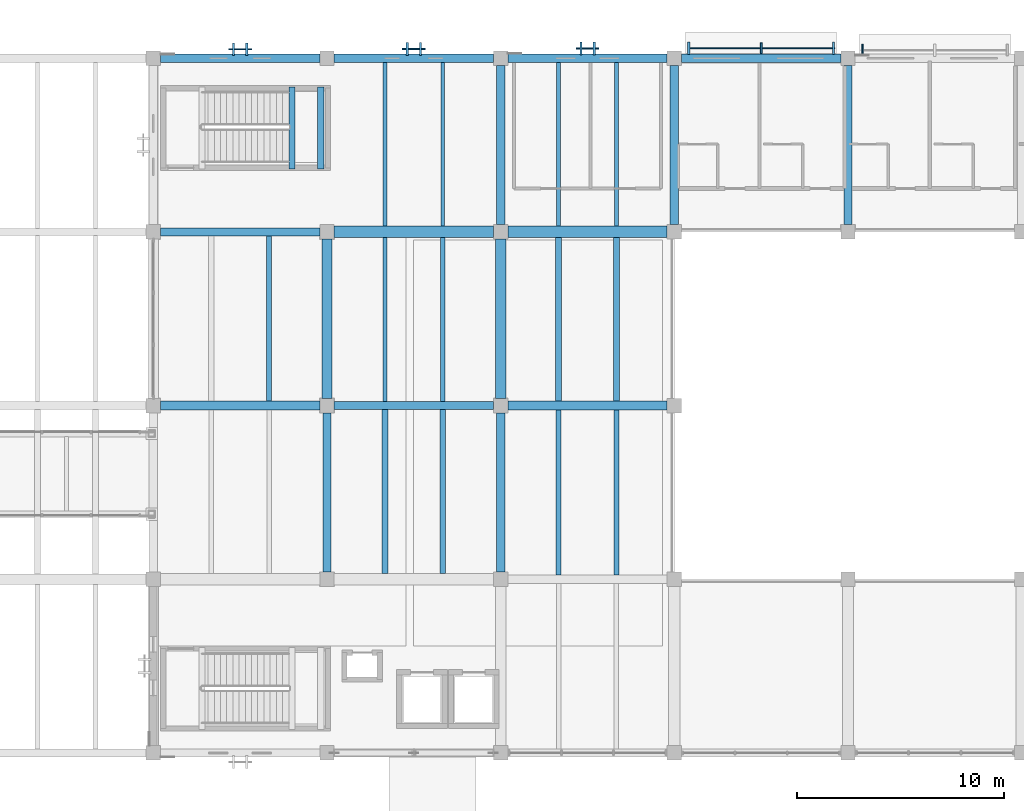
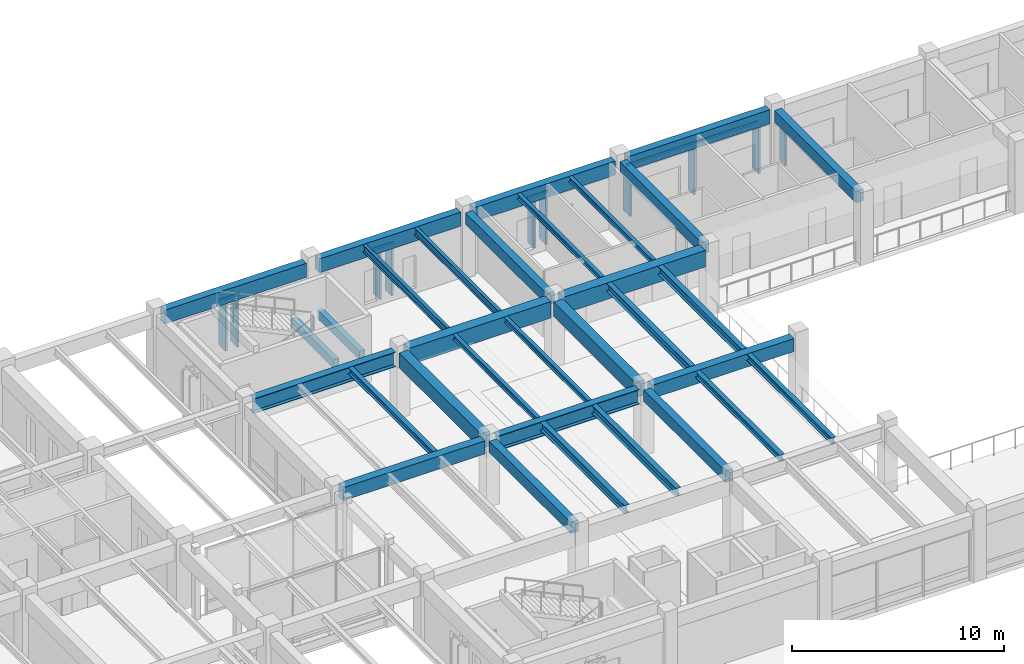
# One storey, part 51 of 132: 32 beams, 14 members, 5 elements without a shape of their own.
"""IFC4 building model written with IfcOpenShell, lengths in metres."""

from ifc_helpers import new_model, si_unit, direction, frame, origin, origin_2d, place, context, subcontext, project, spatial, rectangle, i_section, extrude, material, material_profile, profile_set, type_object, element, aggregate, save


model = new_model("IFC4")

# Units and contexts
model_context = context("Model", 3, precision=1e-05, world=origin(), true_north=direction((0.0, 1.0)))
body_context = subcontext(model_context, "Body", "Model", "MODEL_VIEW")
ifc_project = project(units=[si_unit("LENGTHUNIT", "METRE"), si_unit("AREAUNIT", "SQUARE_METRE"), si_unit("VOLUMEUNIT", "CUBIC_METRE"), si_unit("PLANEANGLEUNIT", "RADIAN"), si_unit("MASSUNIT", "GRAM", prefix="KILO")], contexts=[model_context])

# Site, building, storey
site_placement = place(None, origin())
site = spatial("IfcSite", under=ifc_project, at=site_placement, CompositionType="ELEMENT")
building_placement = place(site_placement, origin())
building = spatial("IfcBuilding", under=site, at=building_placement, Name="Cumbredor Promenade Congress Hotel", CompositionType="ELEMENT")
storey_placement = place(building_placement, frame((0.0, 0.0, 7.56005859375)))
storey = spatial("IfcBuildingStorey", under=building, at=storey_placement, Name="L02", CompositionType="ELEMENT", Elevation=7.56005859375)

# Beams
ifc_material_1 = material(Name="Concrete C40/50", Category="concrete")
ifc_material_profile_1 = material_profile(ifc_material_1, rectangle(XDim=0.39990234375, YDim=0.64990234375, at=origin_2d()), Name="RC BEAM 400x650")
ifc_profile_set_1 = profile_set([ifc_material_profile_1], Name="Concrete C40/50")
beam_type_1 = type_object("IfcBeamType", Name="BM-RC-400x650", PredefinedType="BEAM", material=ifc_profile_set_1)
for number, where, z_axis, x_axis, name in (
    (1, (100.800048828125, 92.75, 3.474853515625), (0.0, 1.0, 0.0), (-1.0, 0.0, 0.0), "L03 Y-Grid Beam 160"),
    (2, (109.199951171875, 92.75, 3.474853515625), (0.0, 1.0, 0.0), (-1.0, 0.0, 0.0), "L03 Y-Grid Beam 168"),
    (3, (109.199951171875, 109.550048828125, 3.474853515625), (0.0, 1.0, 0.0), (-1.0, 0.0, 0.0), "L03 Y-Grid Beam 172"),
    (4, (117.60009765625, 109.550048828125, 3.474853515625), (0.0, 1.0, 0.0), (-1.0, 0.0, 0.0), "L03 Y-Grid Beam 176"),
    (5, (126.0, 109.550048828125, 3.474853515625), (0.0, 1.0, 0.0), (-1.0, 0.0, 0.0), "L03 Y-Grid Beam 180"),
):
    element("IfcBeam", number, at=place(storey_placement, frame(where, z_axis=z_axis, x_axis=x_axis)), inside=storey, type_object=beam_type_1, Name=name, PredefinedType="BEAM", context=body_context, shape_type="SweptSolid", body=[
        extrude(rectangle(XDim=0.39990234375, YDim=0.64990234375, at=origin_2d()), origin(), (0.0, 0.0, 1.0), 7.699951171875),
    ])
ifc_material_profile_2 = material_profile(ifc_material_1, rectangle(XDim=0.449951171875, YDim=0.75, at=origin_2d()), Name="RC BEAM 450x750")
ifc_profile_set_2 = profile_set([ifc_material_profile_2], Name="Concrete C40/50")
beam_type_2 = type_object("IfcBeamType", Name="BM-RC-450x750", PredefinedType="BEAM", material=ifc_profile_set_2)
for number, where, z_axis, x_axis, name in (
    (6, (92.75, 100.800048828125, 3.425048828125), (1.0, 0.0, 0.0), (0.0, 1.0, 0.0), "L03 X-Grid Beam 153"),
    (7, (109.550048828125, 100.800048828125, 3.425048828125), (1.0, 0.0, 0.0), (0.0, 1.0, 0.0), "L03 X-Grid Beam 169"),
):
    element("IfcBeam", number, at=place(storey_placement, frame(where, z_axis=z_axis, x_axis=x_axis)), inside=storey, type_object=beam_type_2, Name=name, PredefinedType="BEAM", context=body_context, shape_type="SweptSolid", body=[
        extrude(rectangle(XDim=0.449951171875, YDim=0.75, at=origin_2d()), origin(), (0.0, 0.0, 1.0), 7.699951171875),
    ])
ifc_material_profile_3 = material_profile(ifc_material_1, rectangle(XDim=0.5, YDim=0.85009765625, at=origin_2d()), Name="RC BEAM 500x850")
ifc_profile_set_3 = profile_set([ifc_material_profile_3], Name="Concrete C40/50")
beam_type_3 = type_object("IfcBeamType", Name="BM-RC-500x850", PredefinedType="BEAM", material=ifc_profile_set_3)
for number, where, z_axis, x_axis, name in (
    (8, (100.800048828125, 101.14990234375, 3.375), (0.0, 1.0, 0.0), (-1.0, 0.0, 0.0), "L03 Y-Grid Beam 162"),
    (9, (109.199951171875, 101.14990234375, 3.375), (0.0, 1.0, 0.0), (-1.0, 0.0, 0.0), "L03 Y-Grid Beam 170"),
):
    element("IfcBeam", number, at=place(storey_placement, frame(where, z_axis=z_axis, x_axis=x_axis)), inside=storey, type_object=beam_type_3, Name=name, PredefinedType="BEAM", context=body_context, shape_type="SweptSolid", body=[
        extrude(rectangle(XDim=0.5, YDim=0.85009765625, at=origin_2d()), origin(), (0.0, 0.0, 1.0), 7.7001953125),
    ])
ifc_material_profile_4 = material_profile(ifc_material_1, rectangle(XDim=0.550048828125, YDim=0.949951171875, at=origin_2d()), Name="RC BEAM 550x950")
ifc_profile_set_4 = profile_set([ifc_material_profile_4], Name="Concrete C40/50")
beam_type_4 = type_object("IfcBeamType", Name="BM-RC-550x950", PredefinedType="BEAM", material=ifc_profile_set_4)
beam_1_placement = place(storey_placement, frame((101.14990234375, 109.199951171875, 3.324951171875), z_axis=(1.0, 0.0, 0.0), x_axis=(0.0, 1.0, 0.0)))
element("IfcBeam", 10, at=beam_1_placement, inside=storey, type_object=beam_type_4, Name="L03 X-Grid Beam 163", PredefinedType="BEAM", context=body_context, shape_type="SweptSolid", body=[
    extrude(rectangle(XDim=0.550048828125, YDim=0.949951171875, at=origin_2d()), origin(), (0.0, 0.0, 1.0), 7.7001953125),
])
beam_2_placement = place(storey_placement, frame((109.550048828125, 109.199951171875, 3.324951171875), z_axis=(1.0, 0.0, 0.0), x_axis=(0.0, 1.0, 0.0)))
element("IfcBeam", 11, at=beam_2_placement, inside=storey, type_object=beam_type_4, Name="L03 X-Grid Beam 171", PredefinedType="BEAM", context=body_context, shape_type="SweptSolid", body=[
    extrude(rectangle(XDim=0.550048828125, YDim=0.949951171875, at=origin_2d()), origin(), (0.0, 0.0, 1.0), 7.699951171875),
])
ifc_material_2 = material(Name="Steel ASTM A992 Grade 50", Category="steel")
ifc_material_profile_5 = material_profile(ifc_material_2, i_section(OverallWidth=0.39990234375, OverallDepth=0.85498046875, WebThickness=0.018310546875, FlangeThickness=0.029296875, at=origin_2d()), Name="W33X201")
ifc_profile_set_5 = profile_set([ifc_material_profile_5], Name="Steel ASTM A992 Grade 50")
beam_type_5 = type_object("IfcBeamType", Name="BM-W33X201", PredefinedType="BEAM", material=ifc_profile_set_5)
beam_3_placement = place(storey_placement, frame((92.75, 109.199951171875, 3.37255859375), z_axis=(1.0, 0.0, 0.0), x_axis=(0.0, 1.0, 0.0)))
element("IfcBeam", 12, at=beam_3_placement, inside=storey, type_object=beam_type_5, Name="L03 X-Grid Beam 155", PredefinedType="BEAM", context=body_context, shape_type="SweptSolid", body=[
    extrude(i_section(OverallWidth=0.39990234375, OverallDepth=0.85498046875, WebThickness=0.018310546875, FlangeThickness=0.029296875, at=origin_2d()), origin(), (0.0, 0.0, 1.0), 7.699951171875),
])
beam_4_placement = place(storey_placement, frame((101.14990234375, 100.800048828125, 3.37255859375), z_axis=(1.0, 0.0, 0.0), x_axis=(0.0, 1.0, 0.0)))
element("IfcBeam", 13, at=beam_4_placement, inside=storey, type_object=beam_type_5, Name="L03 X-Grid Beam 161", PredefinedType="BEAM", context=body_context, shape_type="SweptSolid", body=[
    extrude(i_section(OverallWidth=0.39990234375, OverallDepth=0.85498046875, WebThickness=0.018310546875, FlangeThickness=0.029296875, at=origin_2d()), origin(), (0.0, 0.0, 1.0), 7.7001953125),
])

# Curtain wall, member
ifc_material_3 = material(Name="Thermally broken anodized aluminium and low-E glass", Category="aluminium")
curtain_wall_type = type_object("IfcCurtainWallType", Name="Solar Brise-Soleil Screen Assembly CW-07", PredefinedType="NOTDEFINED", material=ifc_material_3)
curtain_wall_1_placement = place(storey_placement, origin())
curtain_wall_1 = element("IfcCurtainWall", 14, at=curtain_wall_1_placement, inside=storey, type_object=curtain_wall_type, Name="L02 Pier Brise-Soleil Screen 0403", PredefinedType="NOTDEFINED")
ifc_material_4 = material(Name="Thermally broken anodized aluminium", Category="aluminium")
ifc_material_profile_6 = material_profile(ifc_material_4, rectangle(XDim=0.06494140625, YDim=0.1298828125, at=origin_2d()), Name="ALU TRANSOM 65x130")
ifc_profile_set_6 = profile_set([ifc_material_profile_6], Name="Thermally broken anodized aluminium")
member_type_1 = type_object("IfcMemberType", Name="Curtain Wall Transom TR-01", PredefinedType="USERDEFINED", material=ifc_profile_set_6)
member_1_placement = place(storey_placement, frame((96.050048828125, 118.034912109375, 2.824951171875), z_axis=(1.0, 0.0, 0.0), x_axis=(0.0, 1.0, 0.0)))
member_1 = element("IfcMember", 15, at=member_1_placement, type_object=member_type_1, Name="L02 Pier Brise-Soleil Header 0405", ObjectType="TRANSOM", PredefinedType="USERDEFINED", context=body_context, shape_type="SweptSolid", body=[
    extrude(rectangle(XDim=0.06494140625, YDim=0.1298828125, at=origin_2d()), origin(), (0.0, 0.0, 1.0), 1.099853515625),
])

curtain_wall_2_placement = place(storey_placement, origin())
curtain_wall_2 = element("IfcCurtainWall", 16, at=curtain_wall_2_placement, inside=storey, type_object=curtain_wall_type, Name="L02 Pier Brise-Soleil Screen 0406", PredefinedType="NOTDEFINED")
member_2_placement = place(storey_placement, frame((104.449951171875, 118.050048828125, 2.824951171875), z_axis=(1.0, 0.0, 0.0), x_axis=(0.0, 1.0, 0.0)))
member_2 = element("IfcMember", 17, at=member_2_placement, type_object=member_type_1, Name="L02 Pier Brise-Soleil Header 0408", ObjectType="TRANSOM", PredefinedType="USERDEFINED", context=body_context, shape_type="SweptSolid", body=[
    extrude(rectangle(XDim=0.06494140625, YDim=0.1298828125, at=origin_2d()), origin(), (0.0, 0.0, 1.0), 1.10009765625),
])

curtain_wall_3_placement = place(storey_placement, origin())
curtain_wall_3 = element("IfcCurtainWall", 18, at=curtain_wall_3_placement, inside=storey, type_object=curtain_wall_type, Name="L02 Pier Brise-Soleil Screen 0409", PredefinedType="NOTDEFINED")
member_3_placement = place(storey_placement, frame((112.85009765625, 118.072509765625, 2.824951171875), z_axis=(1.0, 0.0, 0.0), x_axis=(0.0, 1.0, 0.0)))
member_3 = element("IfcMember", 19, at=member_3_placement, type_object=member_type_1, Name="L02 Pier Brise-Soleil Header 0411", ObjectType="TRANSOM", PredefinedType="USERDEFINED", context=body_context, shape_type="SweptSolid", body=[
    extrude(rectangle(XDim=0.06494140625, YDim=0.1298828125, at=origin_2d()), origin(), (0.0, 0.0, 1.0), 1.099853515625),
])

curtain_wall_4_placement = place(storey_placement, origin())
curtain_wall_4 = element("IfcCurtainWall", 20, at=curtain_wall_4_placement, inside=storey, type_object=curtain_wall_type, Name="L02 Hospitality Brise-Soleil Screen 030", PredefinedType="NOTDEFINED")
member_4_placement = place(storey_placement, frame((118.2509765625, 118.0849609375, 2.804931640625), z_axis=(1.0, 0.0, 0.0), x_axis=(0.0, 1.0, 0.0)))
member_4 = element("IfcMember", 21, at=member_4_placement, type_object=member_type_1, Name="L02 Brise-Soleil Screen Transom 030", ObjectType="TRANSOM", PredefinedType="USERDEFINED", context=body_context, shape_type="SweptSolid", body=[
    extrude(rectangle(XDim=0.06494140625, YDim=0.1298828125, at=origin_2d()), origin(), (0.0, 0.0, 1.0), 7.09814453125),
])

# Beams
ifc_material_profile_7 = material_profile(ifc_material_2, i_section(OverallWidth=0.202880859375, OverallDepth=0.302978515625, WebThickness=0.007568359375, FlangeThickness=0.01318359375, at=origin_2d()), Name="W12X40")
ifc_profile_set_7 = profile_set([ifc_material_profile_7], Name="Steel ASTM A992 Grade 50")
beam_type_6 = type_object("IfcBeamType", Name="JST-W12X40", PredefinedType="JOIST", material=ifc_profile_set_7)
for number, where, z_axis, x_axis, name in (
    (22, (103.60009765625, 101.0, 3.6484375), (0.0, 1.0, 0.0), (-1.0, 0.0, 0.0), "L03 Secondary Floor Joist 0096"),
    (23, (106.39990234375, 101.0, 3.6484375), (0.0, 1.0, 0.0), (-1.0, 0.0, 0.0), "L03 Secondary Floor Joist 0097"),
):
    element("IfcBeam", number, at=place(storey_placement, frame(where, z_axis=z_axis, x_axis=x_axis)), inside=storey, type_object=beam_type_6, Name=name, PredefinedType="JOIST", context=body_context, shape_type="SweptSolid", body=[
        extrude(i_section(OverallWidth=0.202880859375, OverallDepth=0.302978515625, WebThickness=0.007568359375, FlangeThickness=0.01318359375, at=origin_2d()), origin(), (0.0, 0.0, 1.0), 7.925048828125),
    ])
for number, where, z_axis, x_axis, name in (
    (24, (112.0, 109.47509765625, 3.6484375), (0.0, 1.0, 0.0), (-1.0, 0.0, 0.0), "L03 Secondary Floor Joist 0106"),
    (25, (114.800048828125, 109.47509765625, 3.6484375), (0.0, 1.0, 0.0), (-1.0, 0.0, 0.0), "L03 Secondary Floor Joist 0107"),
):
    element("IfcBeam", number, at=place(storey_placement, frame(where, z_axis=z_axis, x_axis=x_axis)), inside=storey, type_object=beam_type_6, Name=name, PredefinedType="JOIST", context=body_context, shape_type="SweptSolid", body=[
        extrude(i_section(OverallWidth=0.202880859375, OverallDepth=0.302978515625, WebThickness=0.007568359375, FlangeThickness=0.01318359375, at=origin_2d()), origin(), (0.0, 0.0, 1.0), 7.9248046875),
    ])
ifc_material_profile_8 = material_profile(ifc_material_2, i_section(OverallWidth=0.2548828125, OverallDepth=0.35693359375, WebThickness=0.010498046875, FlangeThickness=0.018310546875, at=origin_2d()), Name="W14X68")
ifc_profile_set_8 = profile_set([ifc_material_profile_8], Name="Steel ASTM A992 Grade 50")
beam_type_7 = type_object("IfcBeamType", Name="JST-W14X68", PredefinedType="JOIST", material=ifc_profile_set_8)
beam_5_placement = place(storey_placement, frame((98.0, 101.02490234375, 3.621337890625), z_axis=(0.0, 1.0, 0.0), x_axis=(-1.0, 0.0, 0.0)))
element("IfcBeam", 26, at=beam_5_placement, inside=storey, type_object=beam_type_7, Name="L03 Secondary Floor Joist 0093", PredefinedType="JOIST", context=body_context, shape_type="SweptSolid", body=[
    extrude(i_section(OverallWidth=0.2548828125, OverallDepth=0.35693359375, WebThickness=0.010498046875, FlangeThickness=0.018310546875, at=origin_2d()), origin(), (0.0, 0.0, 1.0), 7.97509765625),
])
for number, where, z_axis, x_axis, name in (
    (27, (112.0, 92.60009765625, 3.621337890625), (0.0, 1.0, 0.0), (-1.0, 0.0, 0.0), "L03 Secondary Floor Joist 0102"),
    (28, (114.800048828125, 92.60009765625, 3.621337890625), (0.0, 1.0, 0.0), (-1.0, 0.0, 0.0), "L03 Secondary Floor Joist 0103"),
):
    element("IfcBeam", number, at=place(storey_placement, frame(where, z_axis=z_axis, x_axis=x_axis)), inside=storey, type_object=beam_type_7, Name=name, PredefinedType="JOIST", context=body_context, shape_type="SweptSolid", body=[
        extrude(i_section(OverallWidth=0.2548828125, OverallDepth=0.35693359375, WebThickness=0.010498046875, FlangeThickness=0.018310546875, at=origin_2d()), origin(), (0.0, 0.0, 1.0), 7.974853515625),
    ])
ifc_material_profile_9 = material_profile(ifc_material_2, i_section(OverallWidth=0.180908203125, OverallDepth=0.4169921875, WebThickness=0.010986328125, FlangeThickness=0.018310546875, at=origin_2d()), Name="W16X57")
ifc_profile_set_9 = profile_set([ifc_material_profile_9], Name="Steel ASTM A992 Grade 50")
beam_type_8 = type_object("IfcBeamType", Name="JST-W16X57", PredefinedType="JOIST", material=ifc_profile_set_9)
for number, where, z_axis, x_axis, name in (
    (29, (103.60009765625, 109.47509765625, 3.591552734375), (0.0, 1.0, 0.0), (-1.0, 0.0, 0.0), "L03 Secondary Floor Joist 0098"),
    (30, (106.39990234375, 109.47509765625, 3.591552734375), (0.0, 1.0, 0.0), (-1.0, 0.0, 0.0), "L03 Secondary Floor Joist 0099"),
):
    element("IfcBeam", number, at=place(storey_placement, frame(where, z_axis=z_axis, x_axis=x_axis)), inside=storey, type_object=beam_type_8, Name=name, PredefinedType="JOIST", context=body_context, shape_type="SweptSolid", body=[
        extrude(i_section(OverallWidth=0.180908203125, OverallDepth=0.4169921875, WebThickness=0.010986328125, FlangeThickness=0.018310546875, at=origin_2d()), origin(), (0.0, 0.0, 1.0), 7.9248046875),
    ])
ifc_material_profile_10 = material_profile(ifc_material_2, i_section(OverallWidth=0.280029296875, OverallDepth=0.462890625, WebThickness=0.0107421875, FlangeThickness=0.017333984375, at=origin_2d()), Name="W18X76")
ifc_profile_set_10 = profile_set([ifc_material_profile_10], Name="Steel ASTM A992 Grade 50")
beam_type_9 = type_object("IfcBeamType", Name="JST-W18X76", PredefinedType="JOIST", material=ifc_profile_set_10)
for number, where, z_axis, x_axis, name in (
    (31, (103.60009765625, 92.675048828125, 3.568359375), (0.0, 1.0, 0.0), (-1.0, 0.0, 0.0), "L03 Secondary Floor Joist 0094"),
    (32, (106.39990234375, 92.675048828125, 3.568359375), (0.0, 1.0, 0.0), (-1.0, 0.0, 0.0), "L03 Secondary Floor Joist 0095"),
):
    element("IfcBeam", number, at=place(storey_placement, frame(where, z_axis=z_axis, x_axis=x_axis)), inside=storey, type_object=beam_type_9, Name=name, PredefinedType="JOIST", context=body_context, shape_type="SweptSolid", body=[
        extrude(i_section(OverallWidth=0.280029296875, OverallDepth=0.462890625, WebThickness=0.0107421875, FlangeThickness=0.017333984375, at=origin_2d()), origin(), (0.0, 0.0, 1.0), 7.925048828125),
    ])
for number, where, z_axis, x_axis, name in (
    (33, (112.0, 101.02490234375, 3.568359375), (0.0, 1.0, 0.0), (-1.0, 0.0, 0.0), "L03 Secondary Floor Joist 0104"),
    (34, (114.800048828125, 101.02490234375, 3.568359375), (0.0, 1.0, 0.0), (-1.0, 0.0, 0.0), "L03 Secondary Floor Joist 0105"),
):
    element("IfcBeam", number, at=place(storey_placement, frame(where, z_axis=z_axis, x_axis=x_axis)), inside=storey, type_object=beam_type_9, Name=name, PredefinedType="JOIST", context=body_context, shape_type="SweptSolid", body=[
        extrude(i_section(OverallWidth=0.280029296875, OverallDepth=0.462890625, WebThickness=0.0107421875, FlangeThickness=0.017333984375, at=origin_2d()), origin(), (0.0, 0.0, 1.0), 7.900146484375),
    ])
ifc_material_profile_11 = material_profile(ifc_material_1, rectangle(XDim=0.300048828125, YDim=0.5, at=origin_2d()), Name="RC LINTEL 300x500")
ifc_profile_set_11 = profile_set([ifc_material_profile_11], Name="Concrete C40/50")
beam_type_10 = type_object("IfcBeamType", Name="LN-RC-300x500", PredefinedType="LINTEL", material=ifc_profile_set_11)
for number, where, z_axis, x_axis, name in (
    (35, (100.5, 112.25, 1.64990234375), (0.0, 1.0, 0.0), (-1.0, 0.0, 0.0), "L02 Stair ST-15 Landing Ledger Beam E"),
    (36, (99.10009765625, 112.25, 1.64990234375), (0.0, 1.0, 0.0), (-1.0, 0.0, 0.0), "L02 Stair ST-15 Landing Ledger Beam W"),
):
    element("IfcBeam", number, at=place(storey_placement, frame(where, z_axis=z_axis, x_axis=x_axis)), inside=storey, type_object=beam_type_10, Name=name, PredefinedType="LINTEL", context=body_context, shape_type="SweptSolid", body=[
        extrude(rectangle(XDim=0.300048828125, YDim=0.5, at=origin_2d()), origin(), (0.0, 0.0, 1.0), 3.949951171875),
    ])
ifc_material_profile_12 = material_profile(ifc_material_1, rectangle(XDim=0.39990234375, YDim=0.800048828125, at=origin_2d()), Name="RC SPANDREL 400x800")
ifc_profile_set_12 = profile_set([ifc_material_profile_12], Name="Concrete C40/50")
beam_type_11 = type_object("IfcBeamType", Name="SP-RC-400x800", PredefinedType="SPANDREL", material=ifc_profile_set_12)
beam_6_placement = place(storey_placement, frame((92.75, 117.60009765625, 3.39990234375), z_axis=(1.0, 0.0, 0.0), x_axis=(0.0, 1.0, 0.0)))
element("IfcBeam", 37, at=beam_6_placement, inside=storey, type_object=beam_type_11, Name="L03 X-Grid Beam 157", PredefinedType="SPANDREL", context=body_context, shape_type="SweptSolid", body=[
    extrude(rectangle(XDim=0.39990234375, YDim=0.800048828125, at=origin_2d()), origin(), (0.0, 0.0, 1.0), 7.699951171875),
])
beam_7_placement = place(storey_placement, frame((101.14990234375, 117.60009765625, 3.39990234375), z_axis=(1.0, 0.0, 0.0), x_axis=(0.0, 1.0, 0.0)))
element("IfcBeam", 38, at=beam_7_placement, inside=storey, type_object=beam_type_11, Name="L03 X-Grid Beam 164", PredefinedType="SPANDREL", context=body_context, shape_type="SweptSolid", body=[
    extrude(rectangle(XDim=0.39990234375, YDim=0.800048828125, at=origin_2d()), origin(), (0.0, 0.0, 1.0), 7.7001953125),
])
for number, where, z_axis, x_axis, name in (
    (39, (109.550048828125, 117.60009765625, 3.39990234375), (1.0, 0.0, 0.0), (0.0, 1.0, 0.0), "L03 X-Grid Beam 173"),
    (40, (117.949951171875, 117.60009765625, 3.39990234375), (1.0, 0.0, 0.0), (0.0, 1.0, 0.0), "L03 X-Grid Beam 177"),
):
    element("IfcBeam", number, at=place(storey_placement, frame(where, z_axis=z_axis, x_axis=x_axis)), inside=storey, type_object=beam_type_11, Name=name, PredefinedType="SPANDREL", context=body_context, shape_type="SweptSolid", body=[
        extrude(rectangle(XDim=0.39990234375, YDim=0.800048828125, at=origin_2d()), origin(), (0.0, 0.0, 1.0), 7.699951171875),
    ])

# Member
ifc_material_profile_13 = material_profile(ifc_material_4, rectangle(XDim=0.110107421875, YDim=0.6201171875, at=origin_2d()), Name="ARCH FIN 110x620")
ifc_profile_set_13 = profile_set([ifc_material_profile_13], Name="Thermally broken anodized aluminium")
member_type_2 = type_object("IfcMemberType", Name="Vertical Bronze Brise-Soleil Fin BSF-02 110x620", PredefinedType="USERDEFINED", material=ifc_profile_set_13)
member_5_placement = place(storey_placement, frame((96.280029296875, 118.034912109375, 0.02001953125), z_axis=(0.0, 0.0, 1.0), x_axis=(1.0, 0.0, 0.0)))
member_5 = element("IfcMember", 41, at=member_5_placement, type_object=member_type_2, Name="L02 Pier Brise-Soleil Fin 0404", ObjectType="SOLAR FIN", PredefinedType="USERDEFINED", context=body_context, shape_type="SweptSolid", body=[
    extrude(rectangle(XDim=0.110107421875, YDim=0.6201171875, at=origin_2d()), origin(), (0.0, 0.0, 1.0), 2.844970703125),
])

member_6_placement = place(storey_placement, frame((96.919921875, 118.034912109375, 0.02001953125), z_axis=(0.0, 0.0, 1.0), x_axis=(1.0, 0.0, 0.0)))
member_6 = element("IfcMember", 42, at=member_6_placement, type_object=member_type_2, Name="L02 Pier Brise-Soleil Fin 0405", ObjectType="SOLAR FIN", PredefinedType="USERDEFINED", context=body_context, shape_type="SweptSolid", body=[
    extrude(rectangle(XDim=0.110107421875, YDim=0.6201171875, at=origin_2d()), origin(), (0.0, 0.0, 1.0), 2.844970703125),
])

aggregate(curtain_wall_1, [member_5, member_6, member_1])

member_7_placement = place(storey_placement, frame((104.679931640625, 118.050048828125, 0.02001953125), z_axis=(0.0, 0.0, 1.0), x_axis=(1.0, 0.0, 0.0)))
member_7 = element("IfcMember", 43, at=member_7_placement, type_object=member_type_2, Name="L02 Pier Brise-Soleil Fin 0407", ObjectType="SOLAR FIN", PredefinedType="USERDEFINED", context=body_context, shape_type="SweptSolid", body=[
    extrude(rectangle(XDim=0.110107421875, YDim=0.6201171875, at=origin_2d()), origin(), (0.0, 0.0, 1.0), 2.844970703125),
])

member_8_placement = place(storey_placement, frame((105.320068359375, 118.050048828125, 0.02001953125), z_axis=(0.0, 0.0, 1.0), x_axis=(1.0, 0.0, 0.0)))
member_8 = element("IfcMember", 44, at=member_8_placement, type_object=member_type_2, Name="L02 Pier Brise-Soleil Fin 0408", ObjectType="SOLAR FIN", PredefinedType="USERDEFINED", context=body_context, shape_type="SweptSolid", body=[
    extrude(rectangle(XDim=0.110107421875, YDim=0.6201171875, at=origin_2d()), origin(), (0.0, 0.0, 1.0), 2.844970703125),
])

aggregate(curtain_wall_2, [member_7, member_8, member_2])

member_9_placement = place(storey_placement, frame((113.080078125, 118.072509765625, 0.02001953125), z_axis=(0.0, 0.0, 1.0), x_axis=(1.0, 0.0, 0.0)))
member_9 = element("IfcMember", 45, at=member_9_placement, type_object=member_type_2, Name="L02 Pier Brise-Soleil Fin 0410", ObjectType="SOLAR FIN", PredefinedType="USERDEFINED", context=body_context, shape_type="SweptSolid", body=[
    extrude(rectangle(XDim=0.110107421875, YDim=0.6201171875, at=origin_2d()), origin(), (0.0, 0.0, 1.0), 2.844970703125),
])

member_10_placement = place(storey_placement, frame((113.719970703125, 118.072509765625, 0.02001953125), z_axis=(0.0, 0.0, 1.0), x_axis=(1.0, 0.0, 0.0)))
member_10 = element("IfcMember", 46, at=member_10_placement, type_object=member_type_2, Name="L02 Pier Brise-Soleil Fin 0411", ObjectType="SOLAR FIN", PredefinedType="USERDEFINED", context=body_context, shape_type="SweptSolid", body=[
    extrude(rectangle(XDim=0.110107421875, YDim=0.6201171875, at=origin_2d()), origin(), (0.0, 0.0, 1.0), 2.844970703125),
])

aggregate(curtain_wall_3, [member_9, member_10, member_3])

member_11_placement = place(storey_placement, frame((118.301025390625, 118.0849609375, 0.02001953125), z_axis=(0.0, 0.0, 1.0), x_axis=(1.0, 0.0, 0.0)))
member_11 = element("IfcMember", 47, at=member_11_placement, type_object=member_type_2, Name="L02 Vertical Brise-Soleil Fin 0412", ObjectType="SOLAR FIN", PredefinedType="USERDEFINED", context=body_context, shape_type="SweptSolid", body=[
    extrude(rectangle(XDim=0.110107421875, YDim=0.6201171875, at=origin_2d()), origin(), (0.0, 0.0, 1.0), 2.844970703125),
])

member_12_placement = place(storey_placement, frame((125.299072265625, 118.0849609375, 0.02001953125), z_axis=(0.0, 0.0, 1.0), x_axis=(1.0, 0.0, 0.0)))
member_12 = element("IfcMember", 48, at=member_12_placement, type_object=member_type_2, Name="L02 Vertical Brise-Soleil Fin 0414", ObjectType="SOLAR FIN", PredefinedType="USERDEFINED", context=body_context, shape_type="SweptSolid", body=[
    extrude(rectangle(XDim=0.110107421875, YDim=0.6201171875, at=origin_2d()), origin(), (0.0, 0.0, 1.0), 2.844970703125),
])

ifc_material_5 = material(Name="Kiln-dried tropical hardwood", Category="wood")
ifc_material_profile_14 = material_profile(ifc_material_5, rectangle(XDim=0.090087890625, YDim=0.550048828125, at=origin_2d()), Name="ARCH FIN 90x550")
ifc_profile_set_14 = profile_set([ifc_material_profile_14], Name="Kiln-dried tropical hardwood")
member_type_3 = type_object("IfcMemberType", Name="Vertical Hardwood Brise-Soleil Fin BSF-01 90x550", PredefinedType="USERDEFINED", material=ifc_profile_set_14)
member_13_placement = place(storey_placement, frame((121.800048828125, 118.0849609375, 0.02001953125), z_axis=(0.0, 0.0, 1.0), x_axis=(1.0, 0.0, 0.0)))
member_13 = element("IfcMember", 49, at=member_13_placement, type_object=member_type_3, Name="L02 Vertical Brise-Soleil Fin 0413", ObjectType="SOLAR FIN", PredefinedType="USERDEFINED", context=body_context, shape_type="SweptSolid", body=[
    extrude(rectangle(XDim=0.090087890625, YDim=0.550048828125, at=origin_2d()), origin(), (0.0, 0.0, 1.0), 2.844970703125),
])

aggregate(curtain_wall_4, [member_4, member_11, member_13, member_12])

# Curtain wall, member
curtain_wall_5_placement = place(storey_placement, origin())
curtain_wall_5 = element("IfcCurtainWall", 50, at=curtain_wall_5_placement, inside=storey, type_object=curtain_wall_type, Name="L02 Hospitality Brise-Soleil Screen 031", PredefinedType="NOTDEFINED")
member_14_placement = place(storey_placement, frame((126.700927734375, 117.989990234375, 0.02001953125), z_axis=(0.0, 0.0, 1.0), x_axis=(1.0, 0.0, 0.0)))
member_14 = element("IfcMember", 51, at=member_14_placement, type_object=member_type_3, Name="L02 Vertical Brise-Soleil Fin 0415", ObjectType="SOLAR FIN", PredefinedType="USERDEFINED", context=body_context, shape_type="SweptSolid", body=[
    extrude(rectangle(XDim=0.090087890625, YDim=0.550048828125, at=origin_2d()), origin(), (0.0, 0.0, 1.0), 2.844970703125),
])
aggregate(curtain_wall_5, [member_14])

save(model, "model.ifc")
